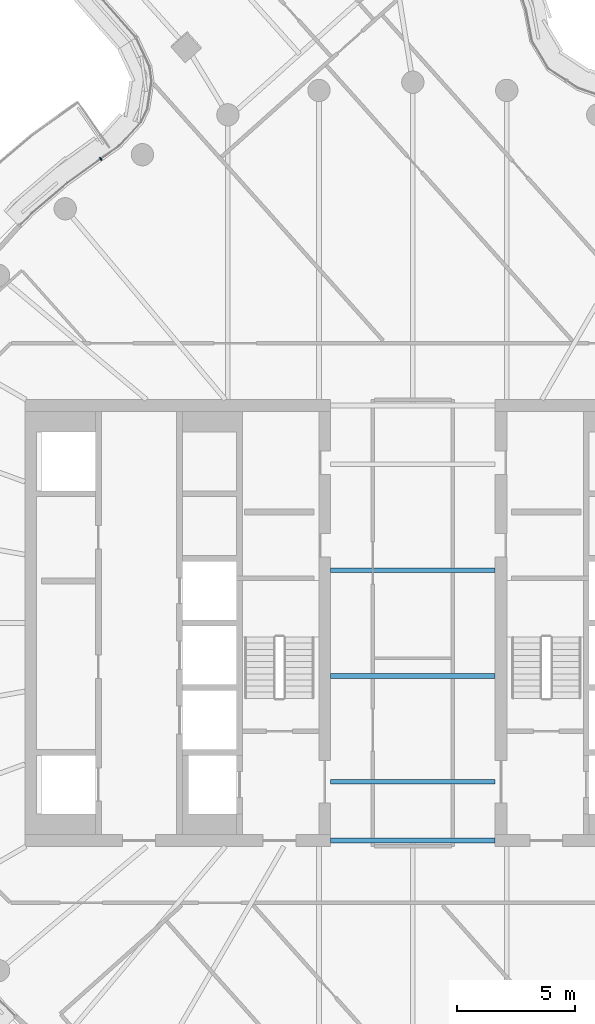
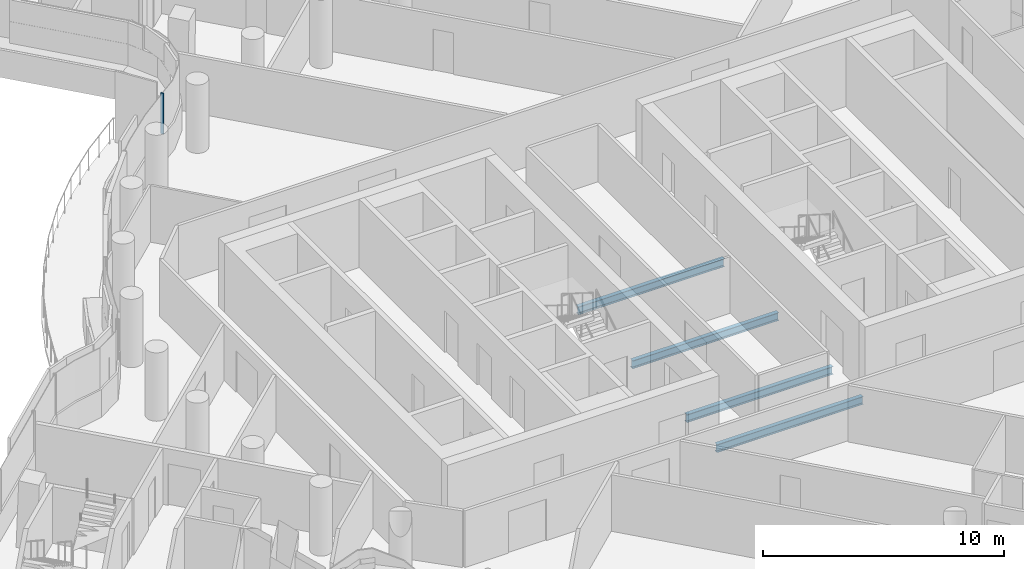
# One storey, part 10 of 33: 4 beams, 1 member, 1 element without a shape of its own.
"""IFC4 building model written with IfcOpenShell, lengths in metres."""

import ifcopenshell
import ifcopenshell.guid

model = None  # the IFC model being written
_history = None  # IfcOwnerHistory: only IFC2X3 demands one
_inside = {}  # id of a spatial element -> (the spatial element, [elements in it])
_under = {}  # id of a project, library or spatial element -> (it, [spatial elements below it])
_declared = {}  # id of a project -> (the project, [libraries it declares])
_typed = {}  # id of a type object -> (the type object, [elements of that type])
_made_of = {}  # id of a material, layer set ... -> (it, [elements and type objects made of it])


def new_model(schema):
    """Start an empty IFC model of exactly this schema.

    Asked for "IFC4X3", IfcOpenShell would pick the latest addendum, in which some entities
    have other attributes; the version numbers below select the first issue.
    IFC2X3 requires an IfcOwnerHistory on every rooted entity: one is made here for all.
    """
    global model, _history
    if schema == "IFC4X3":
        model = ifcopenshell.file(schema_version=(4, 3, 0, 0))
    else:
        model = ifcopenshell.file(schema=schema)
    _inside.clear()
    _under.clear()
    _declared.clear()
    _typed.clear()
    _made_of.clear()
    _history = None
    if model.schema == "IFC2X3":
        org = make("IfcOrganization", Name="unknown")
        user = make(
            "IfcPersonAndOrganization",
            ThePerson=make("IfcPerson", FamilyName="unknown"),
            TheOrganization=org,
        )
        app = make(
            "IfcApplication",
            ApplicationDeveloper=org,
            Version="unknown",
            ApplicationFullName="unknown",
            ApplicationIdentifier="unknown",
        )
        _history = make(
            "IfcOwnerHistory",
            OwningUser=user,
            OwningApplication=app,
            ChangeAction="ADDED",
            CreationDate=0,
        )
    return model


def make(cls, **values):
    """One entity of the class cls with the attributes given. An attribute that is None is left unset."""
    return model.create_entity(
        cls, **{name: value for name, value in values.items() if value is not None}
    )


def rooted(cls, **values):
    """An entity with a GlobalId (a new one), such as an element, a storey or a relation."""
    return make(cls, GlobalId=ifcopenshell.guid.new(), OwnerHistory=_history, **values)


def si_unit(unit_type, name, prefix=None):
    """IfcSIUnit, for example si_unit("LENGTHUNIT", "METRE", prefix="MILLI")."""
    return make("IfcSIUnit", UnitType=unit_type, Prefix=prefix, Name=name)


def assignment(units):
    """IfcUnitAssignment: the units of a project."""
    return None if units is None else make("IfcUnitAssignment", Units=units)


def point(xyz):
    """IfcCartesianPoint."""
    return None if xyz is None else make("IfcCartesianPoint", Coordinates=xyz)


def direction(xyz):
    """IfcDirection."""
    return None if xyz is None else make("IfcDirection", DirectionRatios=xyz)


def frame(location, z_axis=None, x_axis=None):
    """IfcAxis2Placement3D, a coordinate frame: its origin and axes. An axis left out is left unset."""
    return make(
        "IfcAxis2Placement3D",
        Location=point(location),
        Axis=direction(z_axis),
        RefDirection=direction(x_axis),
    )


def frame_2d(location, x_axis=None):
    """IfcAxis2Placement2D, a coordinate frame in the plane: its origin and x axis."""
    return make(
        "IfcAxis2Placement2D", Location=point(location), RefDirection=direction(x_axis)
    )


def origin():
    """The frame at (0, 0, 0) with its axes left unset."""
    return frame((0.0, 0.0, 0.0))


def origin_2d():
    """The frame at (0, 0) in the plane with its x axis left unset."""
    return frame_2d((0.0, 0.0))


def place(relative_to, where):
    """IfcLocalPlacement: puts the frame where relative to a parent placement (None: the world)."""
    return make(
        "IfcLocalPlacement", PlacementRelTo=relative_to, RelativePlacement=where
    )


def context(
    kind, dimensions, precision=None, world=None, true_north=None, identifier=None
):
    """IfcGeometricRepresentationContext, for example the 3D "Model" context."""
    return make(
        "IfcGeometricRepresentationContext",
        ContextIdentifier=identifier,
        ContextType=kind,
        CoordinateSpaceDimension=dimensions,
        Precision=precision,
        WorldCoordinateSystem=world,
        TrueNorth=true_north,
    )


def subcontext(parent, identifier, kind, view, scale=None):
    """IfcGeometricRepresentationSubContext, for example "Body" below "Model"."""
    return make(
        "IfcGeometricRepresentationSubContext",
        ContextIdentifier=identifier,
        ContextType=kind,
        ParentContext=parent,
        TargetScale=scale,
        TargetView=view,
    )


def project(units=None, contexts=None):
    """IfcProject with its units and contexts."""
    return rooted(
        "IfcProject",
        Name="project",
        RepresentationContexts=contexts,
        UnitsInContext=assignment(units),
    )


def spatial(cls, under=None, at=None, **own):
    """A site, building, storey or space (cls), placed at a placement, below another one or the project."""
    s = rooted(cls, ObjectPlacement=at, **own)
    if under is not None:
        _under.setdefault(under.id(), (under, []))[1].append(s)
    return s


def profile(cls, at=None, kind="AREA", **sizes):
    """A parametric profile (cls). Its sizes go by their IFC names, for example OverallWidth=200.0."""
    return make(cls, ProfileType=kind, Position=at, **sizes)


def rectangle(**sizes):
    """IfcRectangleProfileDef."""
    return profile("IfcRectangleProfileDef", **sizes)


def i_section(**sizes):
    """IfcIShapeProfileDef."""
    return profile("IfcIShapeProfileDef", **sizes)


def extrude(swept, where, along, depth):
    """IfcExtrudedAreaSolid: the profile swept, set in the frame where, extruded along a direction by depth."""
    return make(
        "IfcExtrudedAreaSolid",
        SweptArea=swept,
        Position=where,
        ExtrudedDirection=direction(along),
        Depth=depth,
    )


def shape(context_of_items, identifier, shape_type, items):
    """IfcShapeRepresentation: the items that make up one representation, for example the "Body"."""
    return make(
        "IfcShapeRepresentation",
        ContextOfItems=context_of_items,
        RepresentationIdentifier=identifier,
        RepresentationType=shape_type,
        Items=items,
    )


def material(Name=None, Category=None):
    """IfcMaterial."""
    return make("IfcMaterial", Name=Name, Category=Category)


def layer(
    of_material, thickness, ventilated=None, Name=None, Category=None, Priority=None
):
    """IfcMaterialLayer: one layer of a wall or slab, of a material (None: an air gap)."""
    return make(
        "IfcMaterialLayer",
        Material=of_material,
        LayerThickness=thickness,
        IsVentilated=ventilated,
        Name=Name,
        Category=Category,
        Priority=Priority,
    )


def layer_set(layers, Name=None):
    """IfcMaterialLayerSet."""
    return make("IfcMaterialLayerSet", MaterialLayers=layers, LayerSetName=Name)


def material_profile(
    of_material, cross_section, Name=None, Category=None, Priority=None
):
    """IfcMaterialProfile: a cross section and its material."""
    return make(
        "IfcMaterialProfile",
        Name=Name,
        Material=of_material,
        Profile=cross_section,
        Priority=Priority,
        Category=Category,
    )


def profile_set(profiles, Name=None, composite=None):
    """IfcMaterialProfileSet."""
    return make(
        "IfcMaterialProfileSet",
        Name=Name,
        MaterialProfiles=profiles,
        CompositeProfile=composite,
    )


def made_of(thing, what):
    """Note that an element or type object is made of a material, layer set ...; save() writes the relation."""
    if what is not None:
        _made_of.setdefault(what.id(), (what, []))[1].append(thing)
    return thing


def type_object(cls, material=None, **own):
    """A type object (cls), such as IfcWallType, which elements share."""
    return made_of(rooted(cls, **own), material)


def element(
    cls,
    number,
    at=None,
    inside=None,
    cuts=None,
    type_object=None,
    material=None,
    context=None,
    identifier="Body",
    shape_type=None,
    held_by="IfcProductDefinitionShape",
    body=None,
    shapes=None,
    **own,
):
    """One element of the class cls, such as IfcWall. Its Tag is "e" and its number.

    at: its placement. inside: the storey or other place that contains it. cuts: it is an
    opening in that element (IfcRelVoidsElement). A single representation is given by context,
    identifier, shape_type and body (its items); several are given by shapes. held_by: the class
    of the entity that holds the representations. save() writes the other relations.
    """
    e = rooted(cls, Tag="e%d" % number, ObjectPlacement=at, **own)
    if body is not None:
        shapes = [shape(context, identifier, shape_type, body)]
    if shapes is not None:
        e.Representation = make(held_by, Representations=shapes)
    if inside is not None:
        _inside.setdefault(inside.id(), (inside, []))[1].append(e)
    if cuts is not None:
        rooted(
            "IfcRelVoidsElement", RelatingBuildingElement=cuts, RelatedOpeningElement=e
        )
    if type_object is not None:
        _typed.setdefault(type_object.id(), (type_object, []))[1].append(e)
    return made_of(e, material)


def aggregate(whole, parts):
    """IfcRelAggregates: a whole, such as a stair, and the parts it consists of."""
    return rooted("IfcRelAggregates", RelatingObject=whole, RelatedObjects=parts)


def save(model, path):
    """Write the relations noted so far, then the file.

    IfcRelAggregates (storeys below a building ...), IfcRelContainedInSpatialStructure (elements
    in a storey), IfcRelDefinesByType, IfcRelAssociatesMaterial and IfcRelDeclares: one each for
    every whole, place, type object, material and project.
    """
    for whole, parts in _under.values():
        aggregate(whole, parts)
    for where, things in _inside.values():
        rooted(
            "IfcRelContainedInSpatialStructure",
            RelatedElements=things,
            RelatingStructure=where,
        )
    for kind, things in _typed.values():
        rooted("IfcRelDefinesByType", RelatedObjects=things, RelatingType=kind)
    for what, things in _made_of.values():
        rooted("IfcRelAssociatesMaterial", RelatedObjects=things, RelatingMaterial=what)
    for by, libraries in _declared.values():
        rooted("IfcRelDeclares", RelatingContext=by, RelatedDefinitions=libraries)
    model.write(path)


model = new_model("IFC4")

# Units and contexts
model_context = context("Model", 3, precision=1e-05, world=origin(), true_north=direction((0.0, 1.0)))
body_context = subcontext(model_context, "Body", "Model", "MODEL_VIEW")
ifc_project = project(units=[si_unit("LENGTHUNIT", "METRE"), si_unit("AREAUNIT", "SQUARE_METRE"), si_unit("VOLUMEUNIT", "CUBIC_METRE"), si_unit("PLANEANGLEUNIT", "RADIAN"), si_unit("MASSUNIT", "GRAM", prefix="KILO")], contexts=[model_context])

# Site, building, storey
site_placement = place(None, origin())
site = spatial("IfcSite", under=ifc_project, at=site_placement, CompositionType="ELEMENT")
building_placement = place(site_placement, origin())
building = spatial("IfcBuilding", under=site, at=building_placement, Name="Tamarind Cross Interchange Tower", CompositionType="ELEMENT")
storey_placement = place(building_placement, frame((0.0, 0.0, 186.10009765625)))
storey = spatial("IfcBuildingStorey", under=building, at=storey_placement, Name="L46", CompositionType="ELEMENT", Elevation=186.10009765625)

# Beams
ifc_material_1 = material(Name="Steel Q355B", Category="steel")
ifc_material_profile_1 = material_profile(ifc_material_1, i_section(OverallWidth=0.199951171875, OverallDepth=0.39990234375, WebThickness=0.008056640625, FlangeThickness=0.012939453125, FilletRadius=0.01611328125, at=origin_2d()), Name="HN 400x200x8x13")
ifc_profile_set_1 = profile_set([ifc_material_profile_1], Name="Steel Q355B")
beam_type = type_object("IfcBeamType", Name="Composite beam HN 400x200x8x13 Q355B", PredefinedType="BEAM", material=ifc_profile_set_1)
for number, where, z_axis, x_axis, name in (
    (1, (-3.5, -2.25, -0.340087890625), (1.0, 0.0, 0.0), (0.0, 1.0, 0.0), "Beam G-2.25"),
    (2, (-3.5, -6.75, -0.340087890625), (1.0, 0.0, 0.0), (0.0, 1.0, 0.0), "Beam G-6.75"),
    (3, (-3.5, -9.25, -0.340087890625), (1.0, 0.0, 0.0), (0.0, 1.0, 0.0), "Beam G-9.25"),
    (4, (-3.5, 2.25, -0.340087890625), (1.0, 0.0, 0.0), (0.0, 1.0, 0.0), "Beam G2.25"),
):
    element("IfcBeam", number, at=place(storey_placement, frame(where, z_axis=z_axis, x_axis=x_axis)), inside=storey, type_object=beam_type, Name=name, PredefinedType="BEAM", context=body_context, shape_type="SweptSolid", body=[
        extrude(i_section(OverallWidth=0.199951171875, OverallDepth=0.39990234375, WebThickness=0.008056640625, FlangeThickness=0.012939453125, FilletRadius=0.01611328125, at=origin_2d()), origin(), (0.0, 0.0, 1.0), 7.0),
    ])

# Curtain wall, member
ifc_material_2 = material(Name="Aluminium 6063-T6", Category="aluminium")
ifc_layer = layer(ifc_material_2, 0.139892578125)
ifc_layer_set = layer_set([ifc_layer], Name="Aluminium 6063-T6")
curtain_wall_type = type_object("IfcCurtainWallType", Name="Hotel curtain wall, 4.5 m bays", PredefinedType="NOTDEFINED", material=ifc_layer_set)
curtain_wall_placement = place(storey_placement, origin())
curtain_wall = element("IfcCurtainWall", 5, at=curtain_wall_placement, inside=storey, type_object=curtain_wall_type, Name="CWS-L46-10", PredefinedType="NOTDEFINED")
ifc_material_profile_2 = material_profile(ifc_material_2, rectangle(XDim=0.06005859375, YDim=0.139892578125, at=origin_2d()), Name="Mullion CW2")
ifc_profile_set_2 = profile_set([ifc_material_profile_2], Name="Aluminium 6063-T6")
member_type = type_object("IfcMemberType", Name="Mullion CW2", PredefinedType="MULLION", material=ifc_profile_set_2)
member_placement = place(storey_placement, frame((-13.2744140625, 19.73974609375, 1.39990234375), z_axis=(0.0, 0.0, 1.0), x_axis=(-0.811340475102, -0.584573890505, 0.0)))
member = element("IfcMember", 6, at=member_placement, type_object=member_type, Name="CWM-L46-10-01", PredefinedType="MULLION", context=body_context, shape_type="SweptSolid", body=[
    extrude(rectangle(XDim=0.06005859375, YDim=0.139892578125, at=origin_2d()), origin(), (0.0, 0.0, 1.0), 2.06005859375),
])
aggregate(curtain_wall, [member])

save(model, "model.ifc")
